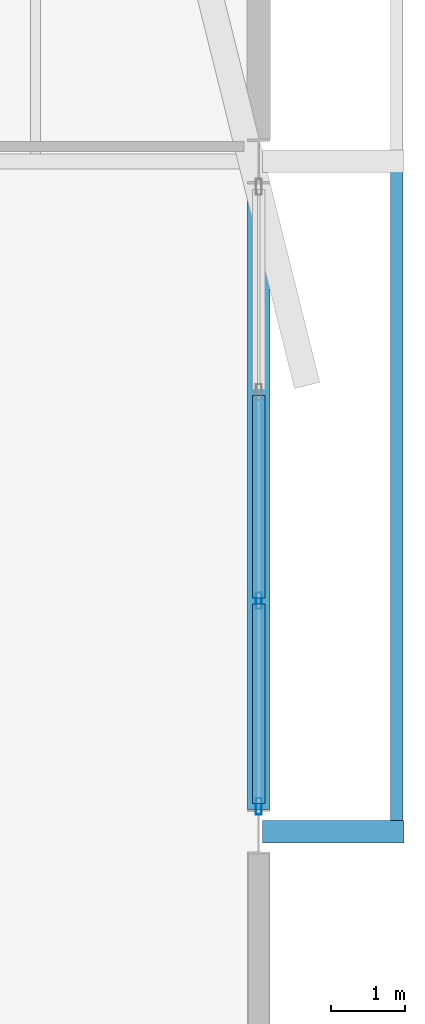
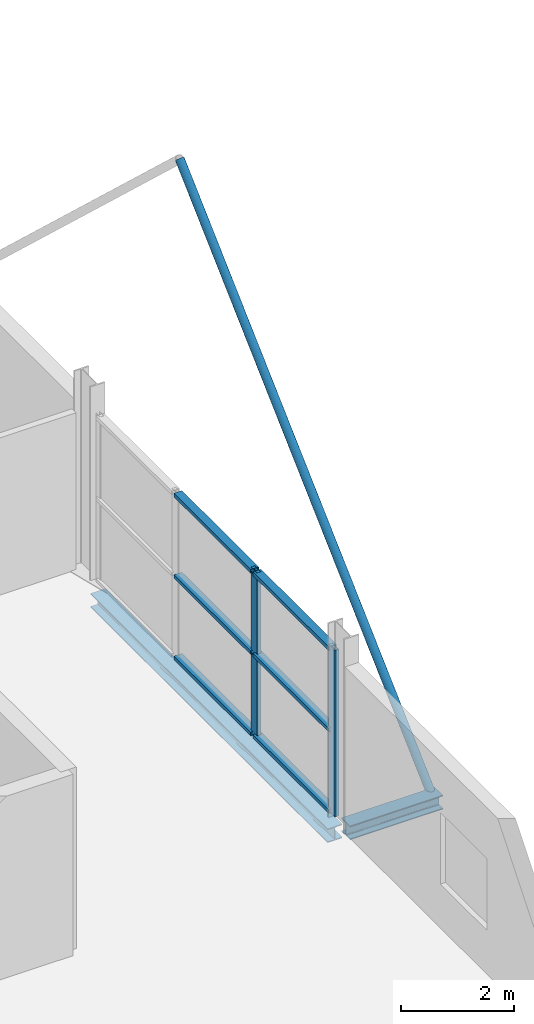
# One storey, part 50 of 103: 9 members, 2 beams, 1 element without a shape of its own.
"""IFC4 building model written with IfcOpenShell, lengths in metres."""

from ifc_helpers import new_model, si_unit, direction, frame, origin, origin_2d, place, context, subcontext, project, spatial, hollow_rectangle, hollow_circle, i_section, extrude, material, layer, layer_set, material_profile, profile_set, type_object, element, aggregate, save


model = new_model("IFC4")

# Units and contexts
model_context = context("Model", 3, precision=1e-05, world=origin(), true_north=direction((0.0, 1.0)))
body_context = subcontext(model_context, "Body", "Model", "MODEL_VIEW")
ifc_project = project(units=[si_unit("LENGTHUNIT", "METRE"), si_unit("AREAUNIT", "SQUARE_METRE"), si_unit("VOLUMEUNIT", "CUBIC_METRE"), si_unit("PLANEANGLEUNIT", "RADIAN"), si_unit("MASSUNIT", "GRAM", prefix="KILO")], contexts=[model_context])

# Site, building, storey
site_placement = place(None, origin())
site = spatial("IfcSite", under=ifc_project, at=site_placement, CompositionType="ELEMENT")
building_placement = place(site_placement, origin())
building = spatial("IfcBuilding", under=site, at=building_placement, Name="Deido Ridge Mobility Hub", CompositionType="ELEMENT")
storey_placement = place(building_placement, frame((0.0, 0.0, 12.60009765625)))
storey = spatial("IfcBuildingStorey", under=building, at=storey_placement, Name="L03", CompositionType="ELEMENT", Elevation=12.60009765625)

# Curtain wall, members
ifc_material_1 = material(Name="Anodised aluminium EN AW-6063 T6", Category="aluminium")
ifc_layer = layer(ifc_material_1, 0.2548828125, Name="Anodised aluminium EN AW-6063 T6")
ifc_layer_set = layer_set([ifc_layer], Name="Anodised aluminium EN AW-6063 T6")
curtain_wall_type = type_object("IfcCurtainWallType", Name="CW-UF-7", PredefinedType="USERDEFINED", material=ifc_layer_set)
curtain_wall_placement = place(storey_placement, origin())
curtain_wall = element("IfcCurtainWall", 1, at=curtain_wall_placement, inside=storey, type_object=curtain_wall_type, Name="Unitised curtain wall CW7", ObjectType="UNITISED FACADE", PredefinedType="USERDEFINED")
ifc_material_profile_1 = material_profile(ifc_material_1, hollow_rectangle(XDim=0.080078125, YDim=0.219970703125, WallThickness=0.00390625, at=origin_2d()), Name="RHS 80x220x4")
ifc_profile_set_1 = profile_set([ifc_material_profile_1], Name="Anodised aluminium EN AW-6063 T6")
member_type_1 = type_object("IfcMemberType", Name="MEM-MUL-80X220", PredefinedType="MULLION", material=ifc_profile_set_1)
member_1_placement = place(storey_placement, frame((180.0, 9.340087890625, 0.0), z_axis=(0.0, 0.0, 1.0), x_axis=(-1.0, 0.0, 0.0)))
member_1 = element("IfcMember", 2, at=member_1_placement, type_object=member_type_1, Name="CW7 mullion 1", PredefinedType="MULLION", context=body_context, shape_type="SweptSolid", body=[
    extrude(hollow_rectangle(XDim=0.080078125, YDim=0.219970703125, WallThickness=0.00390625, at=origin_2d()), origin(), (0.0, 0.0, 1.0), 3.599853515625),
])
member_2_placement = place(storey_placement, frame((180.0, 12.10009765625, 0.0), z_axis=(0.0, 0.0, 1.0), x_axis=(-1.0, 0.0, 0.0)))
member_2 = element("IfcMember", 3, at=member_2_placement, type_object=member_type_1, Name="CW7 mullion 2", PredefinedType="MULLION", context=body_context, shape_type="SweptSolid", body=[
    extrude(hollow_rectangle(XDim=0.080078125, YDim=0.219970703125, WallThickness=0.00390625, at=origin_2d()), origin(), (0.0, 0.0, 1.0), 3.599853515625),
])

# Member
ifc_material_2 = material(Name="Steel S355J2H EN 10210-1", Category="steel")
ifc_material_profile_2 = material_profile(ifc_material_2, hollow_circle(Radius=0.084228515625, WallThickness=0.008056640625, at=origin_2d()), Name="CHS 168.3x8")
ifc_profile_set_2 = profile_set([ifc_material_profile_2], Name="Steel S355J2H EN 10210-1")
member_type_2 = type_object("IfcMemberType", Name="MEM-STR-CHS168", PredefinedType="STRUT", material=ifc_profile_set_2)
member_3_placement = place(storey_placement, frame((181.85009765625, 9.0, -0.150146484375), z_axis=(0.0, 0.731049333052, 0.682324609438), x_axis=(-1.0, 0.0, 0.0)))
element("IfcMember", 4, at=member_3_placement, inside=storey, type_object=member_type_2, Name="Deconstructivist facade diagrid strut SR1", PredefinedType="STRUT", context=body_context, shape_type="SweptSolid", body=[
    extrude(hollow_circle(Radius=0.084228515625, WallThickness=0.008056640625, at=origin_2d()), origin(), (0.0, 0.0, 1.0), 12.31103515625),
])

ifc_material_profile_3 = material_profile(ifc_material_1, hollow_rectangle(XDim=0.1650390625, YDim=0.080078125, WallThickness=0.00390625, at=origin_2d()), Name="RHS 165x80x4")
ifc_profile_set_3 = profile_set([ifc_material_profile_3], Name="Anodised aluminium EN AW-6063 T6")
member_type_3 = type_object("IfcMemberType", Name="MEM-TRN-165X80", PredefinedType="USERDEFINED", material=ifc_profile_set_3)
member_4_placement = place(storey_placement, frame((180.0, 9.3798828125, 0.039794921875), z_axis=(0.0, 1.0, 0.0), x_axis=(-1.0, 0.0, 0.0)))
member_4 = element("IfcMember", 5, at=member_4_placement, type_object=member_type_3, Name="CW7 transom 1.1", ObjectType="TRANSOM", PredefinedType="USERDEFINED", context=body_context, shape_type="SweptSolid", body=[
    extrude(hollow_rectangle(XDim=0.1650390625, YDim=0.080078125, WallThickness=0.00390625, at=origin_2d()), origin(), (0.0, 0.0, 1.0), 2.68017578125),
])

member_5_placement = place(storey_placement, frame((180.0, 9.3798828125, 1.7998046875), z_axis=(0.0, 1.0, 0.0), x_axis=(-1.0, 0.0, 0.0)))
member_5 = element("IfcMember", 6, at=member_5_placement, type_object=member_type_3, Name="CW7 transom 1.2", ObjectType="TRANSOM", PredefinedType="USERDEFINED", context=body_context, shape_type="SweptSolid", body=[
    extrude(hollow_rectangle(XDim=0.1650390625, YDim=0.080078125, WallThickness=0.00390625, at=origin_2d()), origin(), (0.0, 0.0, 1.0), 2.68017578125),
])

member_6_placement = place(storey_placement, frame((180.0, 9.3798828125, 3.559814453125), z_axis=(0.0, 1.0, 0.0), x_axis=(-1.0, 0.0, 0.0)))
member_6 = element("IfcMember", 7, at=member_6_placement, type_object=member_type_3, Name="CW7 transom 1.3", ObjectType="TRANSOM", PredefinedType="USERDEFINED", context=body_context, shape_type="SweptSolid", body=[
    extrude(hollow_rectangle(XDim=0.1650390625, YDim=0.080078125, WallThickness=0.00390625, at=origin_2d()), origin(), (0.0, 0.0, 1.0), 2.68017578125),
])

member_7_placement = place(storey_placement, frame((180.0, 12.139892578125, 0.039794921875), z_axis=(0.0, 1.0, 0.0), x_axis=(-1.0, 0.0, 0.0)))
member_7 = element("IfcMember", 8, at=member_7_placement, type_object=member_type_3, Name="CW7 transom 2.1", ObjectType="TRANSOM", PredefinedType="USERDEFINED", context=body_context, shape_type="SweptSolid", body=[
    extrude(hollow_rectangle(XDim=0.1650390625, YDim=0.080078125, WallThickness=0.00390625, at=origin_2d()), origin(), (0.0, 0.0, 1.0), 2.72021484375),
])

member_8_placement = place(storey_placement, frame((180.0, 12.139892578125, 1.7998046875), z_axis=(0.0, 1.0, 0.0), x_axis=(-1.0, 0.0, 0.0)))
member_8 = element("IfcMember", 9, at=member_8_placement, type_object=member_type_3, Name="CW7 transom 2.2", ObjectType="TRANSOM", PredefinedType="USERDEFINED", context=body_context, shape_type="SweptSolid", body=[
    extrude(hollow_rectangle(XDim=0.1650390625, YDim=0.080078125, WallThickness=0.00390625, at=origin_2d()), origin(), (0.0, 0.0, 1.0), 2.72021484375),
])

member_9_placement = place(storey_placement, frame((180.0, 12.139892578125, 3.559814453125), z_axis=(0.0, 1.0, 0.0), x_axis=(-1.0, 0.0, 0.0)))
member_9 = element("IfcMember", 10, at=member_9_placement, type_object=member_type_3, Name="CW7 transom 2.3", ObjectType="TRANSOM", PredefinedType="USERDEFINED", context=body_context, shape_type="SweptSolid", body=[
    extrude(hollow_rectangle(XDim=0.1650390625, YDim=0.080078125, WallThickness=0.00390625, at=origin_2d()), origin(), (0.0, 0.0, 1.0), 2.72021484375),
])

aggregate(curtain_wall, [member_1, member_2, member_4, member_5, member_6, member_7, member_8, member_9])

# Beams
ifc_material_3 = material(Name="Steel S355J2 EN 10025-2", Category="steel")
ifc_material_profile_4 = material_profile(ifc_material_3, i_section(OverallWidth=0.300048828125, OverallDepth=0.300048828125, WebThickness=0.010986328125, FlangeThickness=0.01904296875, FilletRadius=0.027099609375, at=origin_2d()), Name="HEB 300")
ifc_profile_set_4 = profile_set([ifc_material_profile_4], Name="Steel S355J2 EN 10025-2")
beam_type = type_object("IfcBeamType", Name="SPD-HEB300", PredefinedType="SPANDREL", material=ifc_profile_set_4)
beam_1_placement = place(storey_placement, frame((180.0, 9.300048828125, -0.4150390625), z_axis=(0.0, 1.0, 0.0), x_axis=(-1.0, 0.0, 0.0)))
element("IfcBeam", 11, at=beam_1_placement, inside=storey, type_object=beam_type, Name="Floor beam SP1", PredefinedType="SPANDREL", context=body_context, shape_type="SweptSolid", body=[
    extrude(i_section(OverallWidth=0.300048828125, OverallDepth=0.300048828125, WebThickness=0.010986328125, FlangeThickness=0.01904296875, FilletRadius=0.027099609375, at=origin_2d()), origin(), (0.0, 0.0, 1.0), 8.39990234375),
])
beam_2_placement = place(storey_placement, frame((180.050048828125, 9.0, -0.150146484375), z_axis=(1.0, 0.0, 0.0), x_axis=(0.0, 1.0, 0.0)))
element("IfcBeam", 12, at=beam_2_placement, inside=storey, type_object=beam_type, Name="Exoskeleton outrigger beam SP1", PredefinedType="SPANDREL", context=body_context, shape_type="SweptSolid", body=[
    extrude(i_section(OverallWidth=0.300048828125, OverallDepth=0.300048828125, WebThickness=0.010986328125, FlangeThickness=0.01904296875, FilletRadius=0.027099609375, at=origin_2d()), origin(), (0.0, 0.0, 1.0), 1.89990234375),
])

save(model, "model.ifc")
